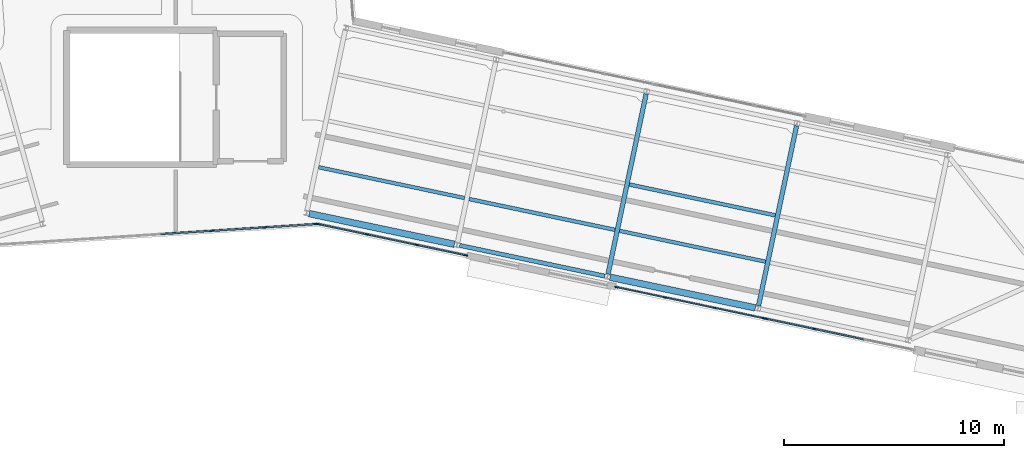
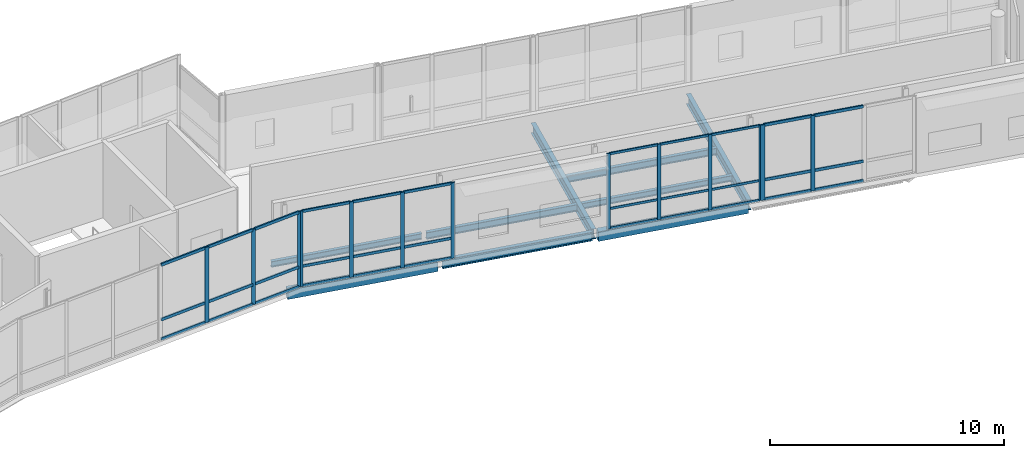
# One storey, part 34 of 125: 46 members, 9 beams, 4 elements without a shape of their own.
"""IFC4 building model written with IfcOpenShell, lengths in metres."""

import ifcopenshell
import ifcopenshell.guid

model = None  # the IFC model being written
_history = None  # IfcOwnerHistory: only IFC2X3 demands one
_inside = {}  # id of a spatial element -> (the spatial element, [elements in it])
_under = {}  # id of a project, library or spatial element -> (it, [spatial elements below it])
_declared = {}  # id of a project -> (the project, [libraries it declares])
_typed = {}  # id of a type object -> (the type object, [elements of that type])
_made_of = {}  # id of a material, layer set ... -> (it, [elements and type objects made of it])


def new_model(schema):
    """Start an empty IFC model of exactly this schema.

    Asked for "IFC4X3", IfcOpenShell would pick the latest addendum, in which some entities
    have other attributes; the version numbers below select the first issue.
    IFC2X3 requires an IfcOwnerHistory on every rooted entity: one is made here for all.
    """
    global model, _history
    if schema == "IFC4X3":
        model = ifcopenshell.file(schema_version=(4, 3, 0, 0))
    else:
        model = ifcopenshell.file(schema=schema)
    _inside.clear()
    _under.clear()
    _declared.clear()
    _typed.clear()
    _made_of.clear()
    _history = None
    if model.schema == "IFC2X3":
        org = make("IfcOrganization", Name="unknown")
        user = make(
            "IfcPersonAndOrganization",
            ThePerson=make("IfcPerson", FamilyName="unknown"),
            TheOrganization=org,
        )
        app = make(
            "IfcApplication",
            ApplicationDeveloper=org,
            Version="unknown",
            ApplicationFullName="unknown",
            ApplicationIdentifier="unknown",
        )
        _history = make(
            "IfcOwnerHistory",
            OwningUser=user,
            OwningApplication=app,
            ChangeAction="ADDED",
            CreationDate=0,
        )
    return model


def make(cls, **values):
    """One entity of the class cls with the attributes given. An attribute that is None is left unset."""
    return model.create_entity(
        cls, **{name: value for name, value in values.items() if value is not None}
    )


def rooted(cls, **values):
    """An entity with a GlobalId (a new one), such as an element, a storey or a relation."""
    return make(cls, GlobalId=ifcopenshell.guid.new(), OwnerHistory=_history, **values)


def si_unit(unit_type, name, prefix=None):
    """IfcSIUnit, for example si_unit("LENGTHUNIT", "METRE", prefix="MILLI")."""
    return make("IfcSIUnit", UnitType=unit_type, Prefix=prefix, Name=name)


def assignment(units):
    """IfcUnitAssignment: the units of a project."""
    return None if units is None else make("IfcUnitAssignment", Units=units)


def point(xyz):
    """IfcCartesianPoint."""
    return None if xyz is None else make("IfcCartesianPoint", Coordinates=xyz)


def direction(xyz):
    """IfcDirection."""
    return None if xyz is None else make("IfcDirection", DirectionRatios=xyz)


def frame(location, z_axis=None, x_axis=None):
    """IfcAxis2Placement3D, a coordinate frame: its origin and axes. An axis left out is left unset."""
    return make(
        "IfcAxis2Placement3D",
        Location=point(location),
        Axis=direction(z_axis),
        RefDirection=direction(x_axis),
    )


def frame_2d(location, x_axis=None):
    """IfcAxis2Placement2D, a coordinate frame in the plane: its origin and x axis."""
    return make(
        "IfcAxis2Placement2D", Location=point(location), RefDirection=direction(x_axis)
    )


def origin():
    """The frame at (0, 0, 0) with its axes left unset."""
    return frame((0.0, 0.0, 0.0))


def origin_2d():
    """The frame at (0, 0) in the plane with its x axis left unset."""
    return frame_2d((0.0, 0.0))


def place(relative_to, where):
    """IfcLocalPlacement: puts the frame where relative to a parent placement (None: the world)."""
    return make(
        "IfcLocalPlacement", PlacementRelTo=relative_to, RelativePlacement=where
    )


def context(
    kind, dimensions, precision=None, world=None, true_north=None, identifier=None
):
    """IfcGeometricRepresentationContext, for example the 3D "Model" context."""
    return make(
        "IfcGeometricRepresentationContext",
        ContextIdentifier=identifier,
        ContextType=kind,
        CoordinateSpaceDimension=dimensions,
        Precision=precision,
        WorldCoordinateSystem=world,
        TrueNorth=true_north,
    )


def subcontext(parent, identifier, kind, view, scale=None):
    """IfcGeometricRepresentationSubContext, for example "Body" below "Model"."""
    return make(
        "IfcGeometricRepresentationSubContext",
        ContextIdentifier=identifier,
        ContextType=kind,
        ParentContext=parent,
        TargetScale=scale,
        TargetView=view,
    )


def project(units=None, contexts=None):
    """IfcProject with its units and contexts."""
    return rooted(
        "IfcProject",
        Name="project",
        RepresentationContexts=contexts,
        UnitsInContext=assignment(units),
    )


def spatial(cls, under=None, at=None, **own):
    """A site, building, storey or space (cls), placed at a placement, below another one or the project."""
    s = rooted(cls, ObjectPlacement=at, **own)
    if under is not None:
        _under.setdefault(under.id(), (under, []))[1].append(s)
    return s


def profile(cls, at=None, kind="AREA", **sizes):
    """A parametric profile (cls). Its sizes go by their IFC names, for example OverallWidth=200.0."""
    return make(cls, ProfileType=kind, Position=at, **sizes)


def rectangle(**sizes):
    """IfcRectangleProfileDef."""
    return profile("IfcRectangleProfileDef", **sizes)


def i_section(**sizes):
    """IfcIShapeProfileDef."""
    return profile("IfcIShapeProfileDef", **sizes)


def extrude(swept, where, along, depth):
    """IfcExtrudedAreaSolid: the profile swept, set in the frame where, extruded along a direction by depth."""
    return make(
        "IfcExtrudedAreaSolid",
        SweptArea=swept,
        Position=where,
        ExtrudedDirection=direction(along),
        Depth=depth,
    )


def shape(context_of_items, identifier, shape_type, items):
    """IfcShapeRepresentation: the items that make up one representation, for example the "Body"."""
    return make(
        "IfcShapeRepresentation",
        ContextOfItems=context_of_items,
        RepresentationIdentifier=identifier,
        RepresentationType=shape_type,
        Items=items,
    )


def material(Name=None, Category=None):
    """IfcMaterial."""
    return make("IfcMaterial", Name=Name, Category=Category)


def material_profile(
    of_material, cross_section, Name=None, Category=None, Priority=None
):
    """IfcMaterialProfile: a cross section and its material."""
    return make(
        "IfcMaterialProfile",
        Name=Name,
        Material=of_material,
        Profile=cross_section,
        Priority=Priority,
        Category=Category,
    )


def profile_set(profiles, Name=None, composite=None):
    """IfcMaterialProfileSet."""
    return make(
        "IfcMaterialProfileSet",
        Name=Name,
        MaterialProfiles=profiles,
        CompositeProfile=composite,
    )


def made_of(thing, what):
    """Note that an element or type object is made of a material, layer set ...; save() writes the relation."""
    if what is not None:
        _made_of.setdefault(what.id(), (what, []))[1].append(thing)
    return thing


def type_object(cls, material=None, **own):
    """A type object (cls), such as IfcWallType, which elements share."""
    return made_of(rooted(cls, **own), material)


def element(
    cls,
    number,
    at=None,
    inside=None,
    cuts=None,
    type_object=None,
    material=None,
    context=None,
    identifier="Body",
    shape_type=None,
    held_by="IfcProductDefinitionShape",
    body=None,
    shapes=None,
    **own,
):
    """One element of the class cls, such as IfcWall. Its Tag is "e" and its number.

    at: its placement. inside: the storey or other place that contains it. cuts: it is an
    opening in that element (IfcRelVoidsElement). A single representation is given by context,
    identifier, shape_type and body (its items); several are given by shapes. held_by: the class
    of the entity that holds the representations. save() writes the other relations.
    """
    e = rooted(cls, Tag="e%d" % number, ObjectPlacement=at, **own)
    if body is not None:
        shapes = [shape(context, identifier, shape_type, body)]
    if shapes is not None:
        e.Representation = make(held_by, Representations=shapes)
    if inside is not None:
        _inside.setdefault(inside.id(), (inside, []))[1].append(e)
    if cuts is not None:
        rooted(
            "IfcRelVoidsElement", RelatingBuildingElement=cuts, RelatedOpeningElement=e
        )
    if type_object is not None:
        _typed.setdefault(type_object.id(), (type_object, []))[1].append(e)
    return made_of(e, material)


def aggregate(whole, parts):
    """IfcRelAggregates: a whole, such as a stair, and the parts it consists of."""
    return rooted("IfcRelAggregates", RelatingObject=whole, RelatedObjects=parts)


def save(model, path):
    """Write the relations noted so far, then the file.

    IfcRelAggregates (storeys below a building ...), IfcRelContainedInSpatialStructure (elements
    in a storey), IfcRelDefinesByType, IfcRelAssociatesMaterial and IfcRelDeclares: one each for
    every whole, place, type object, material and project.
    """
    for whole, parts in _under.values():
        aggregate(whole, parts)
    for where, things in _inside.values():
        rooted(
            "IfcRelContainedInSpatialStructure",
            RelatedElements=things,
            RelatingStructure=where,
        )
    for kind, things in _typed.values():
        rooted("IfcRelDefinesByType", RelatedObjects=things, RelatingType=kind)
    for what, things in _made_of.values():
        rooted("IfcRelAssociatesMaterial", RelatedObjects=things, RelatingMaterial=what)
    for by, libraries in _declared.values():
        rooted("IfcRelDeclares", RelatingContext=by, RelatedDefinitions=libraries)
    model.write(path)


model = new_model("IFC4")

# Units and contexts
model_context = context("Model", 3, precision=1e-05, world=origin(), true_north=direction((0.0, 1.0)))
body_context = subcontext(model_context, "Body", "Model", "MODEL_VIEW")
ifc_project = project(units=[si_unit("LENGTHUNIT", "METRE"), si_unit("AREAUNIT", "SQUARE_METRE"), si_unit("VOLUMEUNIT", "CUBIC_METRE"), si_unit("PLANEANGLEUNIT", "RADIAN"), si_unit("MASSUNIT", "GRAM", prefix="KILO")], contexts=[model_context])

# Site, building, storey
site_placement = place(None, origin())
site = spatial("IfcSite", under=ifc_project, at=site_placement, CompositionType="ELEMENT")
building_placement = place(site_placement, origin())
building = spatial("IfcBuilding", under=site, at=building_placement, Name="Wrenclough Park School", CompositionType="ELEMENT")
storey_placement = place(building_placement, frame((0.0, 0.0, 4.199951171875)))
storey = spatial("IfcBuildingStorey", under=building, at=storey_placement, Name="L01", CompositionType="ELEMENT", Elevation=4.199951171875)

# Curtain wall, members
ifc_material_1 = material(Name="Thermally broken aluminium and low-e glass curtain wall", Category="aluminium")
curtain_wall_type_1 = type_object("IfcCurtainWallType", Name="ENV-CW-05", PredefinedType="USERDEFINED", material=ifc_material_1)
curtain_wall_1_placement = place(storey_placement, origin())
curtain_wall_1 = element("IfcCurtainWall", 1, at=curtain_wall_1_placement, inside=storey, type_object=curtain_wall_type_1, Name="L01 recessed curtain wall assembly 132", ObjectType="CURTAIN WALL", PredefinedType="USERDEFINED")
ifc_material_2 = material(Name="Thermally broken anodised aluminium", Category="aluminium")
ifc_material_profile_1 = material_profile(ifc_material_2, rectangle(XDim=0.06005859375, YDim=0.159912109375, at=origin_2d()), Name="AL MULLION 60x160")
ifc_profile_set_1 = profile_set([ifc_material_profile_1], Name="Thermally broken anodised aluminium")
member_type_1 = type_object("IfcMemberType", Name="ENV-CWM-1", PredefinedType="MULLION", material=ifc_profile_set_1)
member_1_placement = place(storey_placement, frame((120.716064453125, 29.0693359375, 0.0), z_axis=(0.0, 0.0, 1.0), x_axis=(-0.206814763004, -0.978380117237, 0.0)))
member_1 = element("IfcMember", 2, at=member_1_placement, type_object=member_type_1, Name="CW-05 mullion 1", PredefinedType="MULLION", context=body_context, shape_type="SweptSolid", body=[
    extrude(rectangle(XDim=0.06005859375, YDim=0.159912109375, at=origin_2d()), origin(), (0.0, 0.0, 1.0), 3.93994140625),
])
member_2_placement = place(storey_placement, frame((118.491455078125, 29.53955078125, 0.0), z_axis=(0.0, 0.0, 1.0), x_axis=(-0.206814763004, -0.978380117237, 0.0)))
member_2 = element("IfcMember", 3, at=member_2_placement, type_object=member_type_1, Name="CW-05 mullion 2", PredefinedType="MULLION", context=body_context, shape_type="SweptSolid", body=[
    extrude(rectangle(XDim=0.06005859375, YDim=0.159912109375, at=origin_2d()), origin(), (0.0, 0.0, 1.0), 3.93994140625),
])
member_3_placement = place(storey_placement, frame((116.237548828125, 30.015869140625, 0.0), z_axis=(0.0, 0.0, 1.0), x_axis=(-0.206814763004, -0.978380117237, 0.0)))
member_3 = element("IfcMember", 4, at=member_3_placement, type_object=member_type_1, Name="CW-05 mullion 3", PredefinedType="MULLION", context=body_context, shape_type="SweptSolid", body=[
    extrude(rectangle(XDim=0.06005859375, YDim=0.159912109375, at=origin_2d()), origin(), (0.0, 0.0, 1.0), 3.93994140625),
])
member_4_placement = place(storey_placement, frame((114.01318359375, 30.486083984375, 0.0), z_axis=(0.0, 0.0, 1.0), x_axis=(-0.206814763004, -0.978380117237, 0.0)))
member_4 = element("IfcMember", 5, at=member_4_placement, type_object=member_type_1, Name="CW-05 mullion 4", PredefinedType="MULLION", context=body_context, shape_type="SweptSolid", body=[
    extrude(rectangle(XDim=0.06005859375, YDim=0.159912109375, at=origin_2d()), origin(), (0.0, 0.0, 1.0), 3.93994140625),
])

curtain_wall_type_2 = type_object("IfcCurtainWallType", Name="ENV-CW-06", PredefinedType="USERDEFINED", material=ifc_material_1)
curtain_wall_2_placement = place(storey_placement, origin())
curtain_wall_2 = element("IfcCurtainWall", 6, at=curtain_wall_2_placement, inside=storey, type_object=curtain_wall_type_2, Name="L01 recessed curtain wall assembly 133", ObjectType="CURTAIN WALL", PredefinedType="USERDEFINED")
ifc_material_profile_2 = material_profile(ifc_material_2, rectangle(XDim=0.06494140625, YDim=0.179931640625, at=origin_2d()), Name="AL MULLION 65x180")
ifc_profile_set_2 = profile_set([ifc_material_profile_2], Name="Thermally broken anodised aluminium")
member_type_2 = type_object("IfcMemberType", Name="ENV-CWM-2", PredefinedType="MULLION", material=ifc_profile_set_2)
member_5_placement = place(storey_placement, frame((107.1748046875, 31.931640625, 0.0), z_axis=(0.0, 0.0, 1.0), x_axis=(-0.206817690897, -0.97837949832, 0.0)))
member_5 = element("IfcMember", 7, at=member_5_placement, type_object=member_type_2, Name="CW-06 mullion 1", PredefinedType="MULLION", context=body_context, shape_type="SweptSolid", body=[
    extrude(rectangle(XDim=0.06494140625, YDim=0.179931640625, at=origin_2d()), origin(), (0.0, 0.0, 1.0), 3.93994140625),
])
member_6_placement = place(storey_placement, frame((104.952880859375, 32.4013671875, 0.0), z_axis=(0.0, 0.0, 1.0), x_axis=(-0.206817690897, -0.97837949832, 0.0)))
member_6 = element("IfcMember", 8, at=member_6_placement, type_object=member_type_2, Name="CW-06 mullion 2", PredefinedType="MULLION", context=body_context, shape_type="SweptSolid", body=[
    extrude(rectangle(XDim=0.06494140625, YDim=0.179931640625, at=origin_2d()), origin(), (0.0, 0.0, 1.0), 3.93994140625),
])
member_7_placement = place(storey_placement, frame((102.698974609375, 32.877685546875, 0.0), z_axis=(0.0, 0.0, 1.0), x_axis=(-0.206817690897, -0.97837949832, 0.0)))
member_7 = element("IfcMember", 9, at=member_7_placement, type_object=member_type_2, Name="CW-06 mullion 3", PredefinedType="MULLION", context=body_context, shape_type="SweptSolid", body=[
    extrude(rectangle(XDim=0.06494140625, YDim=0.179931640625, at=origin_2d()), origin(), (0.0, 0.0, 1.0), 3.93994140625),
])
member_8_placement = place(storey_placement, frame((100.47705078125, 33.347412109375, 0.0), z_axis=(0.0, 0.0, 1.0), x_axis=(-0.206817690897, -0.97837949832, 0.0)))
member_8 = element("IfcMember", 10, at=member_8_placement, type_object=member_type_2, Name="CW-06 mullion 4", PredefinedType="MULLION", context=body_context, shape_type="SweptSolid", body=[
    extrude(rectangle(XDim=0.06494140625, YDim=0.179931640625, at=origin_2d()), origin(), (0.0, 0.0, 1.0), 3.93994140625),
])

curtain_wall_type_3 = type_object("IfcCurtainWallType", Name="ENV-CW-04", PredefinedType="USERDEFINED", material=ifc_material_1)
curtain_wall_3_placement = place(storey_placement, origin())
curtain_wall_3 = element("IfcCurtainWall", 11, at=curtain_wall_3_placement, inside=storey, type_object=curtain_wall_type_3, Name="L01 recessed curtain wall assembly 131", ObjectType="CURTAIN WALL", PredefinedType="USERDEFINED")
ifc_material_profile_3 = material_profile(ifc_material_2, rectangle(XDim=0.070068359375, YDim=0.199951171875, at=origin_2d()), Name="AL MULLION 70x200")
ifc_profile_set_3 = profile_set([ifc_material_profile_3], Name="Thermally broken anodised aluminium")
member_type_3 = type_object("IfcMemberType", Name="ENV-CWM-3", PredefinedType="MULLION", material=ifc_profile_set_3)
member_9_placement = place(storey_placement, frame((123.007080078125, 28.5849609375, 0.0), z_axis=(0.0, 0.0, 1.0), x_axis=(-0.206817690897, -0.97837949832, 0.0)))
member_9 = element("IfcMember", 12, at=member_9_placement, type_object=member_type_3, Name="CW-04 mullion 3", PredefinedType="MULLION", context=body_context, shape_type="SweptSolid", body=[
    extrude(rectangle(XDim=0.070068359375, YDim=0.199951171875, at=origin_2d()), origin(), (0.0, 0.0, 1.0), 3.93994140625),
])
member_10_placement = place(storey_placement, frame((120.787353515625, 29.05419921875, 0.0), z_axis=(0.0, 0.0, 1.0), x_axis=(-0.206817690897, -0.97837949832, 0.0)))
member_10 = element("IfcMember", 13, at=member_10_placement, type_object=member_type_3, Name="CW-04 mullion 4", PredefinedType="MULLION", context=body_context, shape_type="SweptSolid", body=[
    extrude(rectangle(XDim=0.070068359375, YDim=0.199951171875, at=origin_2d()), origin(), (0.0, 0.0, 1.0), 3.93994140625),
])

curtain_wall_type_4 = type_object("IfcCurtainWallType", Name="ENV-CW-07", PredefinedType="USERDEFINED", material=ifc_material_1)
curtain_wall_4_placement = place(storey_placement, origin())
curtain_wall_4 = element("IfcCurtainWall", 14, at=curtain_wall_4_placement, inside=storey, type_object=curtain_wall_type_4, Name="L01 recessed curtain wall assembly 134", ObjectType="CURTAIN WALL", PredefinedType="USERDEFINED")
member_11_placement = place(storey_placement, frame((100.40234375, 33.3525390625, 0.0), z_axis=(0.0, 0.0, 1.0), x_axis=(0.064258804509, -0.99793326733, 0.0)))
member_11 = element("IfcMember", 15, at=member_11_placement, type_object=member_type_3, Name="CW-07 mullion 1", PredefinedType="MULLION", context=body_context, shape_type="SweptSolid", body=[
    extrude(rectangle(XDim=0.070068359375, YDim=0.199951171875, at=origin_2d()), origin(), (0.0, 0.0, 1.0), 3.93994140625),
])
member_12_placement = place(storey_placement, frame((98.0400390625, 33.200439453125, 0.0), z_axis=(0.0, 0.0, 1.0), x_axis=(0.064258804509, -0.99793326733, 0.0)))
member_12 = element("IfcMember", 16, at=member_12_placement, type_object=member_type_3, Name="CW-07 mullion 2", PredefinedType="MULLION", context=body_context, shape_type="SweptSolid", body=[
    extrude(rectangle(XDim=0.070068359375, YDim=0.199951171875, at=origin_2d()), origin(), (0.0, 0.0, 1.0), 3.93994140625),
])
member_13_placement = place(storey_placement, frame((95.642578125, 33.0458984375, 0.0), z_axis=(0.0, 0.0, 1.0), x_axis=(0.064258804509, -0.99793326733, 0.0)))
member_13 = element("IfcMember", 17, at=member_13_placement, type_object=member_type_3, Name="CW-07 mullion 3", PredefinedType="MULLION", context=body_context, shape_type="SweptSolid", body=[
    extrude(rectangle(XDim=0.070068359375, YDim=0.199951171875, at=origin_2d()), origin(), (0.0, 0.0, 1.0), 3.93994140625),
])

# Member
ifc_material_profile_4 = material_profile(ifc_material_2, rectangle(XDim=0.06005859375, YDim=0.1201171875, at=origin_2d()), Name="AL TRANSOM 60x120")
ifc_profile_set_4 = profile_set([ifc_material_profile_4], Name="Thermally broken anodised aluminium")
member_type_4 = type_object("IfcMemberType", Name="ENV-CWT-1", PredefinedType="USERDEFINED", material=ifc_profile_set_4)
member_14_placement = place(storey_placement, frame((120.686767578125, 29.075439453125, 0.030029296875), z_axis=(-0.978362155073, 0.206899718512, 0.0), x_axis=(-0.206899718512, -0.978362155073, 0.0)))
member_14 = element("IfcMember", 18, at=member_14_placement, type_object=member_type_4, Name="CW-05 transom 1.1", ObjectType="TRANSOM", PredefinedType="USERDEFINED", context=body_context, shape_type="SweptSolid", body=[
    extrude(rectangle(XDim=0.06005859375, YDim=0.1201171875, at=origin_2d()), origin(), (0.0, 0.0, 1.0), 2.213623046875),
])

member_15_placement = place(storey_placement, frame((120.686767578125, 29.075439453125, 1.050048828125), z_axis=(-0.978362155073, 0.206899718512, 0.0), x_axis=(-0.206899718512, -0.978362155073, 0.0)))
member_15 = element("IfcMember", 19, at=member_15_placement, type_object=member_type_4, Name="CW-05 transom 1.2", ObjectType="TRANSOM", PredefinedType="USERDEFINED", context=body_context, shape_type="SweptSolid", body=[
    extrude(rectangle(XDim=0.06005859375, YDim=0.1201171875, at=origin_2d()), origin(), (0.0, 0.0, 1.0), 2.213623046875),
])

member_16_placement = place(storey_placement, frame((120.686767578125, 29.075439453125, 3.91015625), z_axis=(-0.978362155073, 0.206899718512, 0.0), x_axis=(-0.206899718512, -0.978362155073, 0.0)))
member_16 = element("IfcMember", 20, at=member_16_placement, type_object=member_type_4, Name="CW-05 transom 1.3", ObjectType="TRANSOM", PredefinedType="USERDEFINED", context=body_context, shape_type="SweptSolid", body=[
    extrude(rectangle(XDim=0.06005859375, YDim=0.1201171875, at=origin_2d()), origin(), (0.0, 0.0, 1.0), 2.213623046875),
])

member_17_placement = place(storey_placement, frame((118.462158203125, 29.545654296875, 0.030029296875), z_axis=(-0.978370460027, 0.206860443167, 0.0), x_axis=(-0.206860443167, -0.978370460027, 0.0)))
member_17 = element("IfcMember", 21, at=member_17_placement, type_object=member_type_4, Name="CW-05 transom 2.1", ObjectType="TRANSOM", PredefinedType="USERDEFINED", context=body_context, shape_type="SweptSolid", body=[
    extrude(rectangle(XDim=0.06005859375, YDim=0.1201171875, at=origin_2d()), origin(), (0.0, 0.0, 1.0), 2.24365234375),
])

member_18_placement = place(storey_placement, frame((118.462158203125, 29.545654296875, 1.050048828125), z_axis=(-0.978370460027, 0.206860443167, 0.0), x_axis=(-0.206860443167, -0.978370460027, 0.0)))
member_18 = element("IfcMember", 22, at=member_18_placement, type_object=member_type_4, Name="CW-05 transom 2.2", ObjectType="TRANSOM", PredefinedType="USERDEFINED", context=body_context, shape_type="SweptSolid", body=[
    extrude(rectangle(XDim=0.06005859375, YDim=0.1201171875, at=origin_2d()), origin(), (0.0, 0.0, 1.0), 2.24365234375),
])

member_19_placement = place(storey_placement, frame((118.462158203125, 29.545654296875, 3.91015625), z_axis=(-0.978370460027, 0.206860443167, 0.0), x_axis=(-0.206860443167, -0.978370460027, 0.0)))
member_19 = element("IfcMember", 23, at=member_19_placement, type_object=member_type_4, Name="CW-05 transom 2.3", ObjectType="TRANSOM", PredefinedType="USERDEFINED", context=body_context, shape_type="SweptSolid", body=[
    extrude(rectangle(XDim=0.06005859375, YDim=0.1201171875, at=origin_2d()), origin(), (0.0, 0.0, 1.0), 2.24365234375),
])

member_20_placement = place(storey_placement, frame((116.208251953125, 30.022216796875, 0.030029296875), z_axis=(-0.978384474637, 0.206794148342, 0.0), x_axis=(-0.206794148342, -0.978384474637, 0.0)))
member_20 = element("IfcMember", 24, at=member_20_placement, type_object=member_type_4, Name="CW-05 transom 3.1", ObjectType="TRANSOM", PredefinedType="USERDEFINED", context=body_context, shape_type="SweptSolid", body=[
    extrude(rectangle(XDim=0.06005859375, YDim=0.1201171875, at=origin_2d()), origin(), (0.0, 0.0, 1.0), 2.213623046875),
])

member_21_placement = place(storey_placement, frame((116.208251953125, 30.022216796875, 1.050048828125), z_axis=(-0.978384474637, 0.206794148342, 0.0), x_axis=(-0.206794148342, -0.978384474637, 0.0)))
member_21 = element("IfcMember", 25, at=member_21_placement, type_object=member_type_4, Name="CW-05 transom 3.2", ObjectType="TRANSOM", PredefinedType="USERDEFINED", context=body_context, shape_type="SweptSolid", body=[
    extrude(rectangle(XDim=0.06005859375, YDim=0.1201171875, at=origin_2d()), origin(), (0.0, 0.0, 1.0), 2.213623046875),
])

member_22_placement = place(storey_placement, frame((116.208251953125, 30.022216796875, 3.91015625), z_axis=(-0.978384474637, 0.206794148342, 0.0), x_axis=(-0.206794148342, -0.978384474637, 0.0)))
member_22 = element("IfcMember", 26, at=member_22_placement, type_object=member_type_4, Name="CW-05 transom 3.3", ObjectType="TRANSOM", PredefinedType="USERDEFINED", context=body_context, shape_type="SweptSolid", body=[
    extrude(rectangle(XDim=0.06005859375, YDim=0.1201171875, at=origin_2d()), origin(), (0.0, 0.0, 1.0), 2.213623046875),
])

aggregate(curtain_wall_1, [member_1, member_2, member_3, member_4, member_14, member_15, member_16, member_17, member_18, member_19, member_20, member_21, member_22])

ifc_material_profile_5 = material_profile(ifc_material_2, rectangle(XDim=0.06494140625, YDim=0.139892578125, at=origin_2d()), Name="AL TRANSOM 65x140")
ifc_profile_set_5 = profile_set([ifc_material_profile_5], Name="Thermally broken anodised aluminium")
member_type_5 = type_object("IfcMemberType", Name="ENV-CWT-2", PredefinedType="USERDEFINED", material=ifc_profile_set_5)
member_23_placement = place(storey_placement, frame((107.14306640625, 31.938232421875, 0.032470703125), z_axis=(-0.978376841559, 0.206830258667, 0.0), x_axis=(-0.206830258667, -0.978376841559, 0.0)))
member_23 = element("IfcMember", 27, at=member_23_placement, type_object=member_type_5, Name="CW-06 transom 1.1", ObjectType="TRANSOM", PredefinedType="USERDEFINED", context=body_context, shape_type="SweptSolid", body=[
    extrude(rectangle(XDim=0.06494140625, YDim=0.139892578125, at=origin_2d()), origin(), (0.0, 0.0, 1.0), 2.2060546875),
])

member_24_placement = place(storey_placement, frame((107.14306640625, 31.938232421875, 1.050048828125), z_axis=(-0.978376841559, 0.206830258667, 0.0), x_axis=(-0.206830258667, -0.978376841559, 0.0)))
member_24 = element("IfcMember", 28, at=member_24_placement, type_object=member_type_5, Name="CW-06 transom 1.2", ObjectType="TRANSOM", PredefinedType="USERDEFINED", context=body_context, shape_type="SweptSolid", body=[
    extrude(rectangle(XDim=0.06494140625, YDim=0.139892578125, at=origin_2d()), origin(), (0.0, 0.0, 1.0), 2.2060546875),
])

member_25_placement = place(storey_placement, frame((107.14306640625, 31.938232421875, 3.907470703125), z_axis=(-0.978376841559, 0.206830258667, 0.0), x_axis=(-0.206830258667, -0.978376841559, 0.0)))
member_25 = element("IfcMember", 29, at=member_25_placement, type_object=member_type_5, Name="CW-06 transom 1.3", ObjectType="TRANSOM", PredefinedType="USERDEFINED", context=body_context, shape_type="SweptSolid", body=[
    extrude(rectangle(XDim=0.06494140625, YDim=0.139892578125, at=origin_2d()), origin(), (0.0, 0.0, 1.0), 2.2060546875),
])

member_26_placement = place(storey_placement, frame((104.921142578125, 32.407958984375, 0.032470703125), z_axis=(-0.978370079557, 0.206862242635, 0.0), x_axis=(-0.206862242635, -0.978370079557, 0.0)))
member_26 = element("IfcMember", 30, at=member_26_placement, type_object=member_type_5, Name="CW-06 transom 2.1", ObjectType="TRANSOM", PredefinedType="USERDEFINED", context=body_context, shape_type="SweptSolid", body=[
    extrude(rectangle(XDim=0.06494140625, YDim=0.139892578125, at=origin_2d()), origin(), (0.0, 0.0, 1.0), 2.23876953125),
])

member_27_placement = place(storey_placement, frame((104.921142578125, 32.407958984375, 1.050048828125), z_axis=(-0.978370079557, 0.206862242635, 0.0), x_axis=(-0.206862242635, -0.978370079557, 0.0)))
member_27 = element("IfcMember", 31, at=member_27_placement, type_object=member_type_5, Name="CW-06 transom 2.2", ObjectType="TRANSOM", PredefinedType="USERDEFINED", context=body_context, shape_type="SweptSolid", body=[
    extrude(rectangle(XDim=0.06494140625, YDim=0.139892578125, at=origin_2d()), origin(), (0.0, 0.0, 1.0), 2.23876953125),
])

member_28_placement = place(storey_placement, frame((104.921142578125, 32.407958984375, 3.907470703125), z_axis=(-0.978370079557, 0.206862242635, 0.0), x_axis=(-0.206862242635, -0.978370079557, 0.0)))
member_28 = element("IfcMember", 32, at=member_28_placement, type_object=member_type_5, Name="CW-06 transom 2.3", ObjectType="TRANSOM", PredefinedType="USERDEFINED", context=body_context, shape_type="SweptSolid", body=[
    extrude(rectangle(XDim=0.06494140625, YDim=0.139892578125, at=origin_2d()), origin(), (0.0, 0.0, 1.0), 2.23876953125),
])

member_29_placement = place(storey_placement, frame((102.667236328125, 32.884521484375, 0.032470703125), z_axis=(-0.978376841559, 0.206830258667, 0.0), x_axis=(-0.206830258667, -0.978376841559, 0.0)))
member_29 = element("IfcMember", 33, at=member_29_placement, type_object=member_type_5, Name="CW-06 transom 3.1", ObjectType="TRANSOM", PredefinedType="USERDEFINED", context=body_context, shape_type="SweptSolid", body=[
    extrude(rectangle(XDim=0.06494140625, YDim=0.139892578125, at=origin_2d()), origin(), (0.0, 0.0, 1.0), 2.2060546875),
])

member_30_placement = place(storey_placement, frame((102.667236328125, 32.884521484375, 1.050048828125), z_axis=(-0.978376841559, 0.206830258667, 0.0), x_axis=(-0.206830258667, -0.978376841559, 0.0)))
member_30 = element("IfcMember", 34, at=member_30_placement, type_object=member_type_5, Name="CW-06 transom 3.2", ObjectType="TRANSOM", PredefinedType="USERDEFINED", context=body_context, shape_type="SweptSolid", body=[
    extrude(rectangle(XDim=0.06494140625, YDim=0.139892578125, at=origin_2d()), origin(), (0.0, 0.0, 1.0), 2.2060546875),
])

member_31_placement = place(storey_placement, frame((102.667236328125, 32.884521484375, 3.907470703125), z_axis=(-0.978376841559, 0.206830258667, 0.0), x_axis=(-0.206830258667, -0.978376841559, 0.0)))
member_31 = element("IfcMember", 35, at=member_31_placement, type_object=member_type_5, Name="CW-06 transom 3.3", ObjectType="TRANSOM", PredefinedType="USERDEFINED", context=body_context, shape_type="SweptSolid", body=[
    extrude(rectangle(XDim=0.06494140625, YDim=0.139892578125, at=origin_2d()), origin(), (0.0, 0.0, 1.0), 2.2060546875),
])

aggregate(curtain_wall_2, [member_5, member_6, member_7, member_8, member_23, member_24, member_25, member_26, member_27, member_28, member_29, member_30, member_31])

ifc_material_profile_6 = material_profile(ifc_material_2, rectangle(XDim=0.070068359375, YDim=0.14990234375, at=origin_2d()), Name="AL TRANSOM 70x150")
ifc_profile_set_6 = profile_set([ifc_material_profile_6], Name="Thermally broken anodised aluminium")
member_type_6 = type_object("IfcMemberType", Name="ENV-CWT-3", PredefinedType="USERDEFINED", material=ifc_profile_set_6)
member_32_placement = place(storey_placement, frame((125.2265625, 28.115966796875, 0.03515625), z_axis=(-0.978382462786, 0.206803666584, 0.0), x_axis=(-0.206803666584, -0.978382462786, 0.0)))
member_32 = element("IfcMember", 36, at=member_32_placement, type_object=member_type_6, Name="CW-04 transom 2.1", ObjectType="TRANSOM", PredefinedType="USERDEFINED", context=body_context, shape_type="SweptSolid", body=[
    extrude(rectangle(XDim=0.070068359375, YDim=0.14990234375, at=origin_2d()), origin(), (0.0, 0.0, 1.0), 2.233642578125),
])

member_33_placement = place(storey_placement, frame((125.2265625, 28.115966796875, 1.050048828125), z_axis=(-0.978382462786, 0.206803666584, 0.0), x_axis=(-0.206803666584, -0.978382462786, 0.0)))
member_33 = element("IfcMember", 37, at=member_33_placement, type_object=member_type_6, Name="CW-04 transom 2.2", ObjectType="TRANSOM", PredefinedType="USERDEFINED", context=body_context, shape_type="SweptSolid", body=[
    extrude(rectangle(XDim=0.070068359375, YDim=0.14990234375, at=origin_2d()), origin(), (0.0, 0.0, 1.0), 2.233642578125),
])

member_34_placement = place(storey_placement, frame((125.2265625, 28.115966796875, 3.905029296875), z_axis=(-0.978382462786, 0.206803666584, 0.0), x_axis=(-0.206803666584, -0.978382462786, 0.0)))
member_34 = element("IfcMember", 38, at=member_34_placement, type_object=member_type_6, Name="CW-04 transom 2.3", ObjectType="TRANSOM", PredefinedType="USERDEFINED", context=body_context, shape_type="SweptSolid", body=[
    extrude(rectangle(XDim=0.070068359375, YDim=0.14990234375, at=origin_2d()), origin(), (0.0, 0.0, 1.0), 2.233642578125),
])

member_35_placement = place(storey_placement, frame((122.972900390625, 28.59228515625, 0.03515625), z_axis=(-0.978369155277, 0.206866614037, 0.0), x_axis=(-0.206866614037, -0.978369155277, 0.0)))
member_35 = element("IfcMember", 39, at=member_35_placement, type_object=member_type_6, Name="CW-04 transom 3.1", ObjectType="TRANSOM", PredefinedType="USERDEFINED", context=body_context, shape_type="SweptSolid", body=[
    extrude(rectangle(XDim=0.070068359375, YDim=0.14990234375, at=origin_2d()), origin(), (0.0, 0.0, 1.0), 2.19873046875),
])

member_36_placement = place(storey_placement, frame((122.972900390625, 28.59228515625, 1.050048828125), z_axis=(-0.978369155277, 0.206866614037, 0.0), x_axis=(-0.206866614037, -0.978369155277, 0.0)))
member_36 = element("IfcMember", 40, at=member_36_placement, type_object=member_type_6, Name="CW-04 transom 3.2", ObjectType="TRANSOM", PredefinedType="USERDEFINED", context=body_context, shape_type="SweptSolid", body=[
    extrude(rectangle(XDim=0.070068359375, YDim=0.14990234375, at=origin_2d()), origin(), (0.0, 0.0, 1.0), 2.19873046875),
])

member_37_placement = place(storey_placement, frame((122.972900390625, 28.59228515625, 3.905029296875), z_axis=(-0.978369155277, 0.206866614037, 0.0), x_axis=(-0.206866614037, -0.978369155277, 0.0)))
member_37 = element("IfcMember", 41, at=member_37_placement, type_object=member_type_6, Name="CW-04 transom 3.3", ObjectType="TRANSOM", PredefinedType="USERDEFINED", context=body_context, shape_type="SweptSolid", body=[
    extrude(rectangle(XDim=0.070068359375, YDim=0.14990234375, at=origin_2d()), origin(), (0.0, 0.0, 1.0), 2.19873046875),
])

aggregate(curtain_wall_3, [member_9, member_10, member_32, member_33, member_34, member_35, member_36, member_37])

member_38_placement = place(storey_placement, frame((100.367431640625, 33.35009765625, 0.03515625), z_axis=(-0.997937625352, -0.064191089, 0.0), x_axis=(0.064191089, -0.997937625352, 0.0)))
member_38 = element("IfcMember", 42, at=member_38_placement, type_object=member_type_6, Name="CW-07 transom 1.1", ObjectType="TRANSOM", PredefinedType="USERDEFINED", context=body_context, shape_type="SweptSolid", body=[
    extrude(rectangle(XDim=0.070068359375, YDim=0.14990234375, at=origin_2d()), origin(), (0.0, 0.0, 1.0), 2.297119140625),
])

member_39_placement = place(storey_placement, frame((100.367431640625, 33.35009765625, 1.050048828125), z_axis=(-0.997937625352, -0.064191089, 0.0), x_axis=(0.064191089, -0.997937625352, 0.0)))
member_39 = element("IfcMember", 43, at=member_39_placement, type_object=member_type_6, Name="CW-07 transom 1.2", ObjectType="TRANSOM", PredefinedType="USERDEFINED", context=body_context, shape_type="SweptSolid", body=[
    extrude(rectangle(XDim=0.070068359375, YDim=0.14990234375, at=origin_2d()), origin(), (0.0, 0.0, 1.0), 2.297119140625),
])

member_40_placement = place(storey_placement, frame((100.367431640625, 33.35009765625, 3.905029296875), z_axis=(-0.997937625352, -0.064191089, 0.0), x_axis=(0.064191089, -0.997937625352, 0.0)))
member_40 = element("IfcMember", 44, at=member_40_placement, type_object=member_type_6, Name="CW-07 transom 1.3", ObjectType="TRANSOM", PredefinedType="USERDEFINED", context=body_context, shape_type="SweptSolid", body=[
    extrude(rectangle(XDim=0.070068359375, YDim=0.14990234375, at=origin_2d()), origin(), (0.0, 0.0, 1.0), 2.297119140625),
])

member_41_placement = place(storey_placement, frame((98.005126953125, 33.197998046875, 0.03515625), z_axis=(-0.997932245798, -0.064274666833, 0.0), x_axis=(0.064274666833, -0.997932245798, 0.0)))
member_41 = element("IfcMember", 45, at=member_41_placement, type_object=member_type_6, Name="CW-07 transom 2.1", ObjectType="TRANSOM", PredefinedType="USERDEFINED", context=body_context, shape_type="SweptSolid", body=[
    extrude(rectangle(XDim=0.070068359375, YDim=0.14990234375, at=origin_2d()), origin(), (0.0, 0.0, 1.0), 2.332275390625),
])

member_42_placement = place(storey_placement, frame((98.005126953125, 33.197998046875, 1.050048828125), z_axis=(-0.997932245798, -0.064274666833, 0.0), x_axis=(0.064274666833, -0.997932245798, 0.0)))
member_42 = element("IfcMember", 46, at=member_42_placement, type_object=member_type_6, Name="CW-07 transom 2.2", ObjectType="TRANSOM", PredefinedType="USERDEFINED", context=body_context, shape_type="SweptSolid", body=[
    extrude(rectangle(XDim=0.070068359375, YDim=0.14990234375, at=origin_2d()), origin(), (0.0, 0.0, 1.0), 2.332275390625),
])

member_43_placement = place(storey_placement, frame((98.005126953125, 33.197998046875, 3.905029296875), z_axis=(-0.997932245798, -0.064274666833, 0.0), x_axis=(0.064274666833, -0.997932245798, 0.0)))
member_43 = element("IfcMember", 47, at=member_43_placement, type_object=member_type_6, Name="CW-07 transom 2.3", ObjectType="TRANSOM", PredefinedType="USERDEFINED", context=body_context, shape_type="SweptSolid", body=[
    extrude(rectangle(XDim=0.070068359375, YDim=0.14990234375, at=origin_2d()), origin(), (0.0, 0.0, 1.0), 2.332275390625),
])

member_44_placement = place(storey_placement, frame((95.607666015625, 33.043701171875, 0.03515625), z_axis=(-0.997930811842, -0.064296926642, 0.0), x_axis=(0.064296926642, -0.997930811842, 0.0)))
member_44 = element("IfcMember", 48, at=member_44_placement, type_object=member_type_6, Name="CW-07 transom 3.1", ObjectType="TRANSOM", PredefinedType="USERDEFINED", context=body_context, shape_type="SweptSolid", body=[
    extrude(rectangle(XDim=0.070068359375, YDim=0.14990234375, at=origin_2d()), origin(), (0.0, 0.0, 1.0), 2.297119140625),
])

member_45_placement = place(storey_placement, frame((95.607666015625, 33.043701171875, 1.050048828125), z_axis=(-0.997930811842, -0.064296926642, 0.0), x_axis=(0.064296926642, -0.997930811842, 0.0)))
member_45 = element("IfcMember", 49, at=member_45_placement, type_object=member_type_6, Name="CW-07 transom 3.2", ObjectType="TRANSOM", PredefinedType="USERDEFINED", context=body_context, shape_type="SweptSolid", body=[
    extrude(rectangle(XDim=0.070068359375, YDim=0.14990234375, at=origin_2d()), origin(), (0.0, 0.0, 1.0), 2.297119140625),
])

member_46_placement = place(storey_placement, frame((95.607666015625, 33.043701171875, 3.905029296875), z_axis=(-0.997930811842, -0.064296926642, 0.0), x_axis=(0.064296926642, -0.997930811842, 0.0)))
member_46 = element("IfcMember", 50, at=member_46_placement, type_object=member_type_6, Name="CW-07 transom 3.3", ObjectType="TRANSOM", PredefinedType="USERDEFINED", context=body_context, shape_type="SweptSolid", body=[
    extrude(rectangle(XDim=0.070068359375, YDim=0.14990234375, at=origin_2d()), origin(), (0.0, 0.0, 1.0), 2.297119140625),
])

aggregate(curtain_wall_4, [member_11, member_12, member_13, member_38, member_39, member_40, member_41, member_42, member_43, member_44, member_45, member_46])

# Beams
ifc_material_3 = material(Name="Concrete C32/40", Category="concrete")
ifc_material_profile_7 = material_profile(ifc_material_3, rectangle(XDim=0.300048828125, YDim=0.5, at=origin_2d()), Name="RC BEAM 300x500")
ifc_profile_set_7 = profile_set([ifc_material_profile_7], Name="Concrete C32/40")
beam_type_1 = type_object("IfcBeamType", Name="STR-BM-RC300", PredefinedType="BEAM", material=ifc_profile_set_7)
beam_1_placement = place(storey_placement, frame((100.063720703125, 33.8232421875, -0.489990234375), z_axis=(0.978382273635, -0.206804561449, 0.0), x_axis=(0.206804561449, 0.978382273635, 0.0)))
element("IfcBeam", 51, at=beam_1_placement, inside=storey, type_object=beam_type_1, Name="W12 L01 longitudinal edge beam R1", PredefinedType="BEAM", context=body_context, shape_type="SweptSolid", body=[
    extrude(rectangle(XDim=0.300048828125, YDim=0.5, at=origin_2d()), origin(), (0.0, 0.0, 1.0), 6.73974609375),
])
beam_2_placement = place(storey_placement, frame((113.730224609375, 30.934326171875, -0.489990234375), z_axis=(0.978383822799, -0.206797232298, 0.0), x_axis=(0.206797232298, 0.978383822799, 0.0)))
element("IfcBeam", 52, at=beam_2_placement, inside=storey, type_object=beam_type_1, Name="W12 L01 longitudinal edge beam R3", PredefinedType="BEAM", context=body_context, shape_type="SweptSolid", body=[
    extrude(rectangle(XDim=0.300048828125, YDim=0.5, at=origin_2d()), origin(), (0.0, 0.0, 1.0), 6.739990234375),
])
ifc_material_4 = material(Name="Structural steel S355", Category="steel")
ifc_material_profile_8 = material_profile(ifc_material_4, i_section(OverallWidth=0.1650390625, OverallDepth=0.303466796875, WebThickness=0.006103515625, FlangeThickness=0.01025390625, FilletRadius=0.0087890625, at=origin_2d()), Name="UKB 305x165x40")
ifc_profile_set_8 = profile_set([ifc_material_profile_8], Name="Structural steel S355")
beam_type_2 = type_object("IfcBeamType", Name="STR-BM-UKB305", PredefinedType="JOIST", material=ifc_profile_set_8)
for number, where, z_axis, x_axis, name in (
    (53, (100.490966796875, 35.930419921875, -0.3916015625), (0.978382383775, -0.206804040385, 0.0), (0.206804040385, 0.978382383775, 0.0), "W12 L01 secondary floor joist 0015"),
    (54, (114.15771484375, 33.04150390625, -0.3916015625), (0.978382383775, -0.206804040385, 0.0), (0.206804040385, 0.978382383775, 0.0), "W12 L01 secondary floor joist 0021"),
):
    element("IfcBeam", number, at=place(storey_placement, frame(where, z_axis=z_axis, x_axis=x_axis)), inside=storey, type_object=beam_type_2, Name=name, PredefinedType="JOIST", context=body_context, shape_type="SweptSolid", body=[
        extrude(i_section(OverallWidth=0.1650390625, OverallDepth=0.303466796875, WebThickness=0.006103515625, FlangeThickness=0.01025390625, FilletRadius=0.0087890625, at=origin_2d()), origin(), (0.0, 0.0, 1.0), 6.775146484375),
    ])
ifc_material_profile_9 = material_profile(ifc_material_4, i_section(OverallWidth=0.17138671875, OverallDepth=0.35498046875, WebThickness=0.00732421875, FlangeThickness=0.011474609375, FilletRadius=0.01025390625, at=origin_2d()), Name="UKB 356x171x51")
ifc_profile_set_9 = profile_set([ifc_material_profile_9], Name="Structural steel S355")
beam_type_3 = type_object("IfcBeamType", Name="STR-BM-UKB356", PredefinedType="JOIST", material=ifc_profile_set_9)
beam_3_placement = place(storey_placement, frame((107.324462890625, 34.486083984375, -0.41748046875), z_axis=(0.978373550445, -0.206845826135, 0.0), x_axis=(0.206845826135, 0.978373550445, 0.0)))
element("IfcBeam", 55, at=beam_3_placement, inside=storey, type_object=beam_type_3, Name="W12 L01 secondary floor joist 0018", PredefinedType="JOIST", context=body_context, shape_type="SweptSolid", body=[
    extrude(i_section(OverallWidth=0.17138671875, OverallDepth=0.35498046875, WebThickness=0.00732421875, FlangeThickness=0.011474609375, FilletRadius=0.01025390625, at=origin_2d()), origin(), (0.0, 0.0, 1.0), 6.77490234375),
])
beam_4_placement = place(storey_placement, frame((114.602294921875, 35.14501953125, -0.41748046875), z_axis=(0.978382383775, -0.206804040385, 0.0), x_axis=(0.206804040385, 0.978382383775, 0.0)))
element("IfcBeam", 56, at=beam_4_placement, inside=storey, type_object=beam_type_3, Name="W12 L01 secondary floor joist 0020", PredefinedType="JOIST", context=body_context, shape_type="SweptSolid", body=[
    extrude(i_section(OverallWidth=0.17138671875, OverallDepth=0.35498046875, WebThickness=0.00732421875, FlangeThickness=0.011474609375, FilletRadius=0.01025390625, at=origin_2d()), origin(), (0.0, 0.0, 1.0), 6.775146484375),
])
ifc_material_profile_10 = material_profile(ifc_material_4, i_section(OverallWidth=0.18994140625, OverallDepth=0.453369140625, WebThickness=0.008544921875, FlangeThickness=0.0126953125, FilletRadius=0.01025390625, at=origin_2d()), Name="UKB 457x191x67")
ifc_profile_set_10 = profile_set([ifc_material_profile_10], Name="Structural steel S355")
beam_type_4 = type_object("IfcBeamType", Name="STR-BM-UKB457A", PredefinedType="BEAM", material=ifc_profile_set_10)
beam_5_placement = place(storey_placement, frame((106.89697265625, 32.37890625, -0.466552734375), z_axis=(0.978376493341, -0.206831905849, 0.0), x_axis=(0.206831905849, 0.978376493341, 0.0)))
element("IfcBeam", 57, at=beam_5_placement, inside=storey, type_object=beam_type_4, Name="W12 L01 longitudinal edge beam R2", PredefinedType="BEAM", context=body_context, shape_type="SweptSolid", body=[
    extrude(i_section(OverallWidth=0.18994140625, OverallDepth=0.453369140625, WebThickness=0.008544921875, FlangeThickness=0.0126953125, FilletRadius=0.01025390625, at=origin_2d()), origin(), (0.0, 0.0, 1.0), 6.739990234375),
])
ifc_material_profile_11 = material_profile(ifc_material_4, i_section(OverallWidth=0.209228515625, OverallDepth=0.533203125, WebThickness=0.010009765625, FlangeThickness=0.015625, FilletRadius=0.0126953125, at=origin_2d()), Name="UKB 533x210x92")
ifc_profile_set_11 = profile_set([ifc_material_profile_11], Name="Structural steel S355")
beam_type_5 = type_object("IfcBeamType", Name="STR-BM-UKB533A", PredefinedType="BEAM", material=ifc_profile_set_11)
for number, where, z_axis, x_axis, name in (
    (58, (115.364013671875, 39.254150390625, -0.506591796875), (-0.206808534812, -0.978381433761, 0.0), (0.978381433761, -0.206808534812, 0.0), "W12 L01 transverse floor beam 3"),
    (59, (122.197265625, 37.809814453125, -0.506591796875), (-0.206808534812, -0.978381433761, 0.0), (0.978381433761, -0.206808534812, 0.0), "W12 L01 transverse floor beam 4"),
):
    element("IfcBeam", number, at=place(storey_placement, frame(where, z_axis=z_axis, x_axis=x_axis)), inside=storey, type_object=beam_type_5, Name=name, PredefinedType="BEAM", context=body_context, shape_type="SweptSolid", body=[
        extrude(i_section(OverallWidth=0.209228515625, OverallDepth=0.533203125, WebThickness=0.010009765625, FlangeThickness=0.015625, FilletRadius=0.0126953125, at=origin_2d()), origin(), (0.0, 0.0, 1.0), 8.355712890625),
    ])

save(model, "model.ifc")
